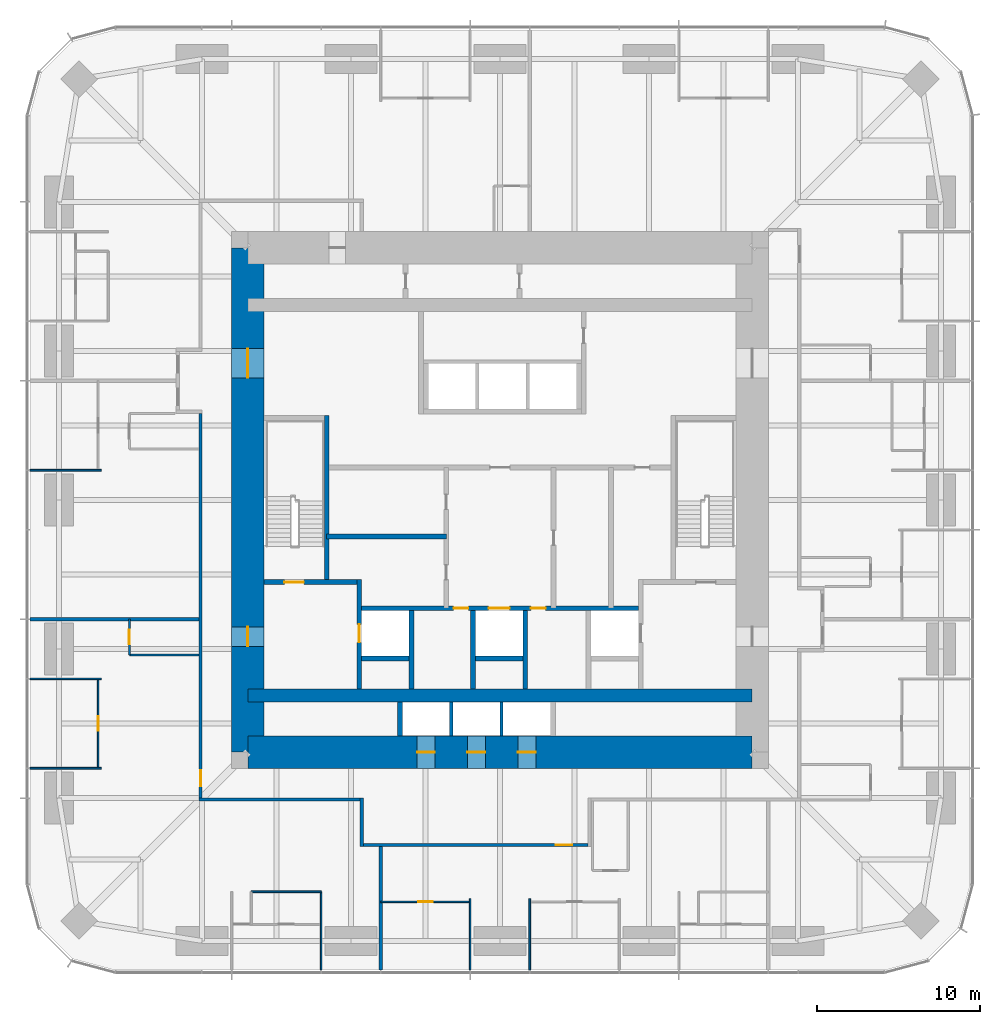
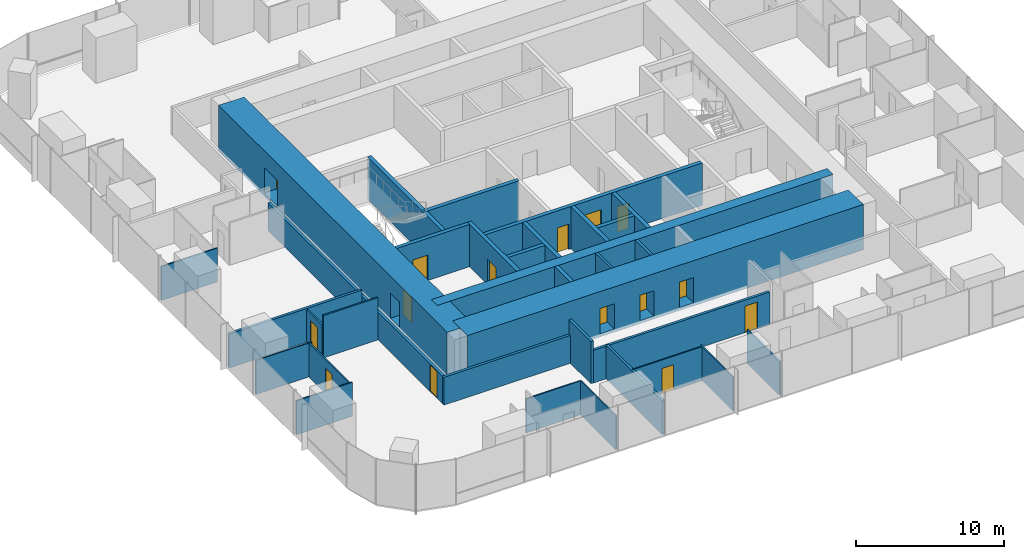
# One storey, part 9 of 13: 33 walls, 15 doors, 15 openings.
"""IFC4 building model written with IfcOpenShell, lengths in metres."""

from ifc_helpers import new_model, si_unit, direction, frame, frame_2d, origin, place, context, subcontext, project, spatial, rectangle, extrude, material, layer, layer_set, type_object, element, fill, save


model = new_model("IFC4")

# Units and contexts
model_context = context("Model", 3, precision=1e-05, world=origin(), true_north=direction((0.0, 1.0)))
body_context = subcontext(model_context, "Body", "Model", "MODEL_VIEW")
ifc_project = project(units=[si_unit("LENGTHUNIT", "METRE"), si_unit("AREAUNIT", "SQUARE_METRE"), si_unit("VOLUMEUNIT", "CUBIC_METRE"), si_unit("PLANEANGLEUNIT", "RADIAN"), si_unit("MASSUNIT", "GRAM", prefix="KILO")], contexts=[model_context])

# Site, building, storey
site_placement = place(None, origin())
site = spatial("IfcSite", under=ifc_project, at=site_placement, CompositionType="ELEMENT")
building_placement = place(site_placement, origin())
building = spatial("IfcBuilding", under=site, at=building_placement, Name="Khuree Lantern Residences", CompositionType="ELEMENT")
storey_placement = place(building_placement, frame((0.0, 0.0, 126.0)))
storey = spatial("IfcBuildingStorey", under=building, at=storey_placement, Name="L31", CompositionType="ELEMENT", Elevation=126.0)

# Wall, opening, door
ifc_material_1 = material(Name="Moisture-resistant gypsum board on steel studs", Category="steel")
ifc_layer_1 = layer(ifc_material_1, 0.125)
ifc_layer_set_1 = layer_set([ifc_layer_1], Name="BATHROOM WALL BTW125")
wall_type_1 = type_object("IfcWallType", Name="BATHROOM WALL BTW125", PredefinedType="PARTITIONING", material=ifc_layer_set_1)
wall_1_placement = place(storey_placement, frame((-22.77978515625, -7.327880859375, 0.0), z_axis=(0.0, 0.0, 1.0), x_axis=(0.0, -1.0, 0.0)))
wall_1 = element("IfcWall", 1, at=wall_1_placement, inside=storey, type_object=wall_type_1, Name="L31 BATHROOM WALL 05", PredefinedType="PARTITIONING", context=body_context, shape_type="SweptSolid", body=[
    extrude(rectangle(XDim=2.2001953125, YDim=0.125, at=frame_2d((1.10009765625, 0.0))), origin(), (0.0, 0.0, 1.0), 2.699951171875),
])
opening_1_placement = place(wall_1_placement, frame((0.64990234375, 0.0, 0.0)))
opening_1 = element("IfcOpeningElement", 2, at=opening_1_placement, cuts=wall_1, Name="Opening 31-044", PredefinedType="OPENING", context=body_context, shape_type="SweptSolid", body=[
    extrude(rectangle(XDim=0.89990234375, YDim=2.10009765625, at=frame_2d((0.449951171875, 1.050048828125))), frame((0.0, 0.072509765625, 0.0), z_axis=(0.0, -1.0, 0.0), x_axis=(1.0, 0.0, 0.0)), (0.0, 0.0, 1.0), 0.14501953125),
])
ifc_material_2 = material(Name="Timber door leaf in hardwood frame", Category="wood")
door_type_1 = type_object("IfcDoorType", Name="BATHROOM DOOR 900X2100", OperationType="SINGLE_SWING_LEFT", PredefinedType="DOOR", material=ifc_material_2)
door_1_placement = place(opening_1_placement, origin())
door_1 = element("IfcDoor", 3, at=door_1_placement, inside=storey, type_object=door_type_1, Name="Bathroom door 31-044", OperationType="SINGLE_SWING_LEFT", OverallHeight=2.10009765625, OverallWidth=0.89990234375, PredefinedType="DOOR", context=body_context, shape_type="SweptSolid", body=[
    extrude(rectangle(XDim=0.89990234375, YDim=2.10009765625, at=frame_2d((0.449951171875, 1.050048828125))), frame((0.0, 0.02490234375, 0.0), z_axis=(0.0, -1.0, 0.0), x_axis=(1.0, 0.0, 0.0)), (0.0, 0.0, 1.0), 0.050048828125),
])
fill(opening_1, door_1)

# Wall
wall_2_placement = place(storey_placement, frame((-18.5, -9.528076171875, 0.0), z_axis=(0.0, 0.0, 1.0), x_axis=(-1.0, 0.0, 0.0)))
element("IfcWall", 4, at=wall_2_placement, inside=storey, type_object=wall_type_1, Name="L31 BATHROOM WALL 05", PredefinedType="PARTITIONING", context=body_context, shape_type="SweptSolid", body=[
    extrude(rectangle(XDim=4.27978515625, YDim=0.125, at=frame_2d((2.139892578125, 0.0))), origin(), (0.0, 0.0, 1.0), 3.5),
])

# Wall, opening, door
ifc_material_3 = material(Name="Dense concrete blockwork", Category="masonry")
ifc_layer_2 = layer(ifc_material_3, 0.300048828125)
ifc_layer_set_2 = layer_set([ifc_layer_2], Name="CORE PARTITION WALL CPW300 EI 120")
wall_type_2 = type_object("IfcWallType", Name="CORE PARTITION WALL CPW300 EI 120", PredefinedType="PARTITIONING", material=ifc_layer_set_2)
wall_3_placement = place(storey_placement, frame((-8.64990234375, -11.60009765625, 0.0), z_axis=(0.0, 0.0, 1.0), x_axis=(0.0, 1.0, 0.0)))
wall_3 = element("IfcWall", 5, at=wall_3_placement, inside=storey, type_object=wall_type_2, Name="L31 CORE WALL FL1W", PredefinedType="PARTITIONING", context=body_context, shape_type="SweptSolid", body=[
    extrude(rectangle(XDim=6.7001953125, YDim=0.300048828125, at=frame_2d((3.35009765625, 0.0))), origin(), (0.0, 0.0, 1.0), 3.5),
])
opening_2_placement = place(wall_3_placement, frame((2.85009765625, 0.0, 0.0)))
opening_2 = element("IfcOpeningElement", 6, at=opening_2_placement, cuts=wall_3, Name="Opening 31-007", PredefinedType="OPENING", context=body_context, shape_type="SweptSolid", body=[
    extrude(rectangle(XDim=1.10009765625, YDim=2.10009765625, at=frame_2d((0.550048828125, 1.050048828125))), frame((0.0, 0.16015625, 0.0), z_axis=(0.0, -1.0, 0.0), x_axis=(1.0, 0.0, 0.0)), (0.0, 0.0, 1.0), 0.320068359375),
])
ifc_material_4 = material(Name="Stainless steel lift landing door", Category="steel")
door_type_2 = type_object("IfcDoorType", Name="LIFT LANDING DOOR 1100X2100 E 120", OperationType="DOUBLE_DOOR_SLIDING", PredefinedType="DOOR", material=ifc_material_4)
door_2_placement = place(opening_2_placement, origin())
door_2 = element("IfcDoor", 7, at=door_2_placement, inside=storey, type_object=door_type_2, Name="Landing door FL1 31-007", OperationType="DOUBLE_DOOR_SLIDING", OverallHeight=2.10009765625, OverallWidth=1.10009765625, PredefinedType="DOOR", context=body_context, shape_type="SweptSolid", body=[
    extrude(rectangle(XDim=1.10009765625, YDim=2.10009765625, at=frame_2d((0.550048828125, 1.050048828125))), frame((0.0, 0.02490234375, 0.0), z_axis=(0.0, -1.0, 0.0), x_axis=(1.0, 0.0, 0.0)), (0.0, 0.0, 1.0), 0.050048828125),
])
fill(opening_2, door_2)

# Wall, openings, doors
wall_4_placement = place(storey_placement, frame((-8.5, -6.64990234375, 0.0), z_axis=(0.0, 0.0, 1.0), x_axis=(1.0, 0.0, 0.0)))
wall_4 = element("IfcWall", 8, at=wall_4_placement, inside=storey, type_object=wall_type_2, Name="L31 CORE WALL FLROW", PredefinedType="PARTITIONING", context=body_context, shape_type="SweptSolid", body=[
    extrude(rectangle(XDim=17.0, YDim=0.300048828125, at=frame_2d((8.5, 0.0))), origin(), (0.0, 0.0, 1.0), 3.5),
])
opening_3_placement = place(wall_4_placement, frame((7.800048828125, 0.0, 0.0)))
opening_3 = element("IfcOpeningElement", 9, at=opening_3_placement, cuts=wall_4, Name="Opening 31-012", PredefinedType="OPENING", context=body_context, shape_type="SweptSolid", body=[
    extrude(rectangle(XDim=1.300048828125, YDim=2.39990234375, at=frame_2d((0.64990234375, 1.199951171875))), frame((0.0, 0.16015625, 0.0), z_axis=(0.0, -1.0, 0.0), x_axis=(1.0, 0.0, 0.0)), (0.0, 0.0, 1.0), 0.320068359375),
])
opening_4_placement = place(wall_4_placement, frame((5.64990234375, 0.0, 0.0)))
opening_4 = element("IfcOpeningElement", 10, at=opening_4_placement, cuts=wall_4, Name="Opening 31-014", PredefinedType="OPENING", context=body_context, shape_type="SweptSolid", body=[
    extrude(rectangle(XDim=0.89990234375, YDim=2.10009765625, at=frame_2d((0.449951171875, 1.050048828125))), frame((0.0, 0.16015625, 0.0), z_axis=(0.0, -1.0, 0.0), x_axis=(1.0, 0.0, 0.0)), (0.0, 0.0, 1.0), 0.320068359375),
])
opening_5_placement = place(wall_4_placement, frame((10.39990234375, 0.0, 0.0)))
opening_5 = element("IfcOpeningElement", 11, at=opening_5_placement, cuts=wall_4, Name="Opening 31-015", PredefinedType="OPENING", context=body_context, shape_type="SweptSolid", body=[
    extrude(rectangle(XDim=0.89990234375, YDim=2.10009765625, at=frame_2d((0.449951171875, 1.050048828125))), frame((0.0, 0.16015625, 0.0), z_axis=(0.0, -1.0, 0.0), x_axis=(1.0, 0.0, 0.0)), (0.0, 0.0, 1.0), 0.320068359375),
])
ifc_material_5 = material(Name="Steel door leaf in steel frame", Category="steel")
door_type_3 = type_object("IfcDoorType", Name="DOOR 900X2100 EI 60", OperationType="SINGLE_SWING_LEFT", PredefinedType="DOOR", material=ifc_material_5)
door_3_placement = place(opening_4_placement, origin())
door_3 = element("IfcDoor", 12, at=door_3_placement, inside=storey, type_object=door_type_3, Name="Refuse chute room door 31-014", OperationType="SINGLE_SWING_LEFT", OverallHeight=2.10009765625, OverallWidth=0.89990234375, PredefinedType="DOOR", context=body_context, shape_type="SweptSolid", body=[
    extrude(rectangle(XDim=0.89990234375, YDim=2.10009765625, at=frame_2d((0.449951171875, 1.050048828125))), frame((0.0, 0.02490234375, 0.0), z_axis=(0.0, -1.0, 0.0), x_axis=(1.0, 0.0, 0.0)), (0.0, 0.0, 1.0), 0.050048828125),
])
fill(opening_4, door_3)
door_type_4 = type_object("IfcDoorType", Name="DOOR 900X2100 EI 60 RIGHT HAND", OperationType="SINGLE_SWING_RIGHT", PredefinedType="DOOR", material=ifc_material_5)
door_4_placement = place(opening_5_placement, origin())
door_4 = element("IfcDoor", 13, at=door_4_placement, inside=storey, type_object=door_type_4, Name="Electrical and plumbing riser door 31-015", OperationType="SINGLE_SWING_RIGHT", OverallHeight=2.10009765625, OverallWidth=0.89990234375, PredefinedType="DOOR", context=body_context, shape_type="SweptSolid", body=[
    extrude(rectangle(XDim=0.89990234375, YDim=2.10009765625, at=frame_2d((0.449951171875, 1.050048828125))), frame((0.0, 0.02490234375, 0.0), z_axis=(0.0, -1.0, 0.0), x_axis=(1.0, 0.0, 0.0)), (0.0, 0.0, 1.0), 0.050048828125),
])
fill(opening_5, door_4)
door_type_5 = type_object("IfcDoorType", Name="LIFT LANDING DOOR 1300X2400 E 60", OperationType="DOUBLE_DOOR_SLIDING", PredefinedType="DOOR", material=ifc_material_4)
door_5_placement = place(opening_3_placement, origin())
door_5 = element("IfcDoor", 14, at=door_5_placement, inside=storey, type_object=door_type_5, Name="Landing door SL1 31-012", OperationType="DOUBLE_DOOR_SLIDING", OverallHeight=2.39990234375, OverallWidth=1.300048828125, PredefinedType="DOOR", context=body_context, shape_type="SweptSolid", body=[
    extrude(rectangle(XDim=1.300048828125, YDim=2.39990234375, at=frame_2d((0.64990234375, 1.199951171875))), frame((0.0, 0.02490234375, 0.0), z_axis=(0.0, -1.0, 0.0), x_axis=(1.0, 0.0, 0.0)), (0.0, 0.0, 1.0), 0.050048828125),
])
fill(opening_3, door_5)

# Walls
for number, where, z_axis, x_axis, name in (
    (15, (-5.449951171875, -11.60009765625, 0.0), (0.0, 0.0, 1.0), (0.0, 1.0, 0.0), "L31 CORE WALL FL1E"),
    (16, (-1.64990234375, -11.60009765625, 0.0), (0.0, 0.0, 1.0), (0.0, 1.0, 0.0), "L31 CORE WALL SL1W"),
    (17, (1.550048828125, -11.60009765625, 0.0), (0.0, 0.0, 1.0), (0.0, 1.0, 0.0), "L31 CORE WALL SL1E"),
):
    element("IfcWall", number, at=place(storey_placement, frame(where, z_axis=z_axis, x_axis=x_axis)), inside=storey, type_object=wall_type_2, Name=name, PredefinedType="PARTITIONING", context=body_context, shape_type="SweptSolid", body=[
        extrude(rectangle(XDim=4.800048828125, YDim=0.300048828125, at=frame_2d((2.39990234375, 0.0))), origin(), (0.0, 0.0, 1.0), 3.5),
    ])
for number, where, z_axis, x_axis, name in (
    (18, (-8.5, -9.75, 0.0), (0.0, 0.0, 1.0), (1.0, 0.0, 0.0), "L31 CORE WALL FL1S"),
    (19, (-1.5, -9.75, 0.0), (0.0, 0.0, 1.0), (1.0, 0.0, 0.0), "L31 CORE WALL SL1S"),
):
    element("IfcWall", number, at=place(storey_placement, frame(where, z_axis=z_axis, x_axis=x_axis)), inside=storey, type_object=wall_type_2, Name=name, PredefinedType="PARTITIONING", context=body_context, shape_type="SweptSolid", body=[
        extrude(rectangle(XDim=2.89990234375, YDim=0.300048828125, at=frame_2d((1.449951171875, 0.0))), origin(), (0.0, 0.0, 1.0), 3.5),
    ])
wall_5_placement = place(storey_placement, frame((-6.14990234375, -14.5, 0.0), z_axis=(0.0, 0.0, 1.0), x_axis=(0.0, 1.0, 0.0)))
element("IfcWall", 20, at=wall_5_placement, inside=storey, type_object=wall_type_2, Name="L31 CORE WALL PMW", PredefinedType="PARTITIONING", context=body_context, shape_type="SweptSolid", body=[
    extrude(rectangle(XDim=2.10009765625, YDim=0.300048828125, at=frame_2d((1.050048828125, 0.0))), origin(), (0.0, 0.0, 1.0), 3.5),
])
wall_6_placement = place(storey_placement, frame((-10.64990234375, -2.25, 0.0), z_axis=(0.0, 0.0, 1.0), x_axis=(1.0, 0.0, 0.0)))
element("IfcWall", 21, at=wall_6_placement, inside=storey, type_object=wall_type_2, Name="L31 CORE WALL WX", PredefinedType="PARTITIONING", context=body_context, shape_type="SweptSolid", body=[
    extrude(rectangle(XDim=7.349853515625, YDim=0.300048828125, at=frame_2d((3.6748046875, 0.0))), origin(), (0.0, 0.0, 1.0), 3.5),
])

# Wall, opening, door
ifc_material_6 = material(Name="Gypsum board on steel studs", Category="steel")
ifc_layer_3 = layer(ifc_material_6, 0.199951171875)
ifc_layer_set_3 = layer_set([ifc_layer_3], Name="CORRIDOR WALL CRW200 EI 60")
wall_type_3 = type_object("IfcWallType", Name="CORRIDOR WALL CRW200 EI 60", PredefinedType="PARTITIONING", material=ifc_layer_set_3)
wall_7_placement = place(storey_placement, frame((-18.39990234375, 5.327880859375, 0.0), z_axis=(0.0, 0.0, 1.0), x_axis=(0.0, -1.0, 0.0)))
wall_7 = element("IfcWall", 22, at=wall_7_placement, inside=storey, type_object=wall_type_3, Name="L31 CORRIDOR WALL WEST 2", PredefinedType="PARTITIONING", context=body_context, shape_type="SweptSolid", body=[
    extrude(rectangle(XDim=23.6279296875, YDim=0.199951171875, at=frame_2d((11.81396484375, 0.0))), origin(), (0.0, 0.0, 1.0), 2.300048828125),
])
opening_6_placement = place(wall_7_placement, frame((21.926025390625, 0.0, 0.0)))
opening_6 = element("IfcOpeningElement", 23, at=opening_6_placement, cuts=wall_7, Name="Opening 31-045", PredefinedType="OPENING", context=body_context, shape_type="SweptSolid", body=[
    extrude(rectangle(XDim=1.0, YDim=2.199951171875, at=frame_2d((0.5, 1.10009765625))), frame((0.0, 0.10986328125, 0.0), z_axis=(0.0, -1.0, 0.0), x_axis=(1.0, 0.0, 0.0)), (0.0, 0.0, 1.0), 0.219970703125),
])
door_type_6 = type_object("IfcDoorType", Name="APARTMENT ENTRANCE DOOR 1000X2200 EI 30S RIGHT HAND", OperationType="SINGLE_SWING_RIGHT", PredefinedType="DOOR", material=ifc_material_2)
door_6_placement = place(opening_6_placement, origin())
door_6 = element("IfcDoor", 24, at=door_6_placement, inside=storey, type_object=door_type_6, Name="Apartment 05 entrance door 31-045", OperationType="SINGLE_SWING_RIGHT", OverallHeight=2.199951171875, OverallWidth=1.0, PredefinedType="DOOR", context=body_context, shape_type="SweptSolid", body=[
    extrude(rectangle(XDim=1.0, YDim=2.199951171875, at=frame_2d((0.5, 1.10009765625))), frame((0.0, 0.02490234375, 0.0), z_axis=(0.0, -1.0, 0.0), x_axis=(1.0, 0.0, 0.0)), (0.0, 0.0, 1.0), 0.050048828125),
])
fill(opening_6, door_6)

# Wall
wall_8_placement = place(storey_placement, frame((-8.5, -18.300048828125, 0.0), z_axis=(0.0, 0.0, 1.0), x_axis=(0.0, -1.0, 0.0)))
element("IfcWall", 25, at=wall_8_placement, inside=storey, type_object=wall_type_3, Name="L31 LIFT LOBBY WALL", PredefinedType="PARTITIONING", context=body_context, shape_type="SweptSolid", body=[
    extrude(rectangle(XDim=3.0, YDim=0.199951171875, at=frame_2d((1.5, 0.0))), origin(), (0.0, 0.0, 1.0), 3.5),
])

# Wall, opening, door
wall_9_placement = place(storey_placement, frame((5.39990234375, -21.199951171875, 0.0), z_axis=(0.0, 0.0, 1.0), x_axis=(-1.0, 0.0, 0.0)))
wall_9 = element("IfcWall", 26, at=wall_9_placement, inside=storey, type_object=wall_type_3, Name="L31 LIFT LOBBY WALL", PredefinedType="PARTITIONING", context=body_context, shape_type="SweptSolid", body=[
    extrude(rectangle(XDim=13.7998046875, YDim=0.199951171875, at=frame_2d((6.89990234375, 0.0))), origin(), (0.0, 0.0, 1.0), 2.699951171875),
])
opening_7_placement = place(wall_9_placement, frame((0.9580078125, 0.0, 0.0)))
opening_7 = element("IfcOpeningElement", 27, at=opening_7_placement, cuts=wall_9, Name="Opening 31-051", PredefinedType="OPENING", context=body_context, shape_type="SweptSolid", body=[
    extrude(rectangle(XDim=1.0, YDim=2.199951171875, at=frame_2d((0.5, 1.10009765625))), frame((0.0, 0.10986328125, 0.0), z_axis=(0.0, -1.0, 0.0), x_axis=(1.0, 0.0, 0.0)), (0.0, 0.0, 1.0), 0.219970703125),
])
door_type_7 = type_object("IfcDoorType", Name="APARTMENT ENTRANCE DOOR 1000X2200 EI 30S", OperationType="SINGLE_SWING_LEFT", PredefinedType="DOOR", material=ifc_material_2)
door_7_placement = place(opening_7_placement, origin())
door_7 = element("IfcDoor", 28, at=door_7_placement, inside=storey, type_object=door_type_7, Name="Apartment 06 entrance door 31-051", OperationType="SINGLE_SWING_LEFT", OverallHeight=2.199951171875, OverallWidth=1.0, PredefinedType="DOOR", context=body_context, shape_type="SweptSolid", body=[
    extrude(rectangle(XDim=1.0, YDim=2.199951171875, at=frame_2d((0.5, 1.10009765625))), frame((0.0, 0.02490234375, 0.0), z_axis=(0.0, -1.0, 0.0), x_axis=(1.0, 0.0, 0.0)), (0.0, 0.0, 1.0), 0.050048828125),
])
fill(opening_7, door_7)

# Wall
wall_10_placement = place(storey_placement, frame((-8.60009765625, -18.39990234375, 0.0), z_axis=(0.0, 0.0, 1.0), x_axis=(-1.0, 0.0, 0.0)))
element("IfcWall", 29, at=wall_10_placement, inside=storey, type_object=wall_type_3, Name="L31 CORRIDOR WALL SOUTH 2", PredefinedType="PARTITIONING", context=body_context, shape_type="SweptSolid", body=[
    extrude(rectangle(XDim=9.89990234375, YDim=0.199951171875, at=frame_2d((4.949951171875, 0.0))), origin(), (0.0, 0.0, 1.0), 2.300048828125),
])

# Wall, openings, doors
ifc_material_7 = material(Name="Concrete C70/85", Category="concrete")
ifc_layer_4 = layer(ifc_material_7, 2.0)
ifc_layer_set_4 = layer_set([ifc_layer_4], Name="CW2000-C70 CORE WALL C70 2000")
wall_type_4 = type_object("IfcWallType", Name="CW2000-C70 CORE WALL C70 2000", PredefinedType="SHEAR", material=ifc_layer_set_4)
wall_11_placement = place(storey_placement, frame((-15.5, -15.5, -0.25), z_axis=(0.0, 0.0, 1.0), x_axis=(1.0, 0.0, 0.0)))
wall_11 = element("IfcWall", 30, at=wall_11_placement, inside=storey, type_object=wall_type_4, Name="Core wall S", PredefinedType="SHEAR", context=body_context, shape_type="SweptSolid", body=[
    extrude(rectangle(XDim=31.0, YDim=2.0, at=frame_2d((15.5, 0.0))), origin(), (0.0, 0.0, 1.0), 3.75),
])
opening_8_placement = place(wall_11_placement, frame((10.39990234375, 0.0, 0.25)))
opening_8 = element("IfcOpeningElement", 31, at=opening_8_placement, cuts=wall_11, Name="Opening 31-009", PredefinedType="OPENING", context=body_context, shape_type="SweptSolid", body=[
    extrude(rectangle(XDim=1.10009765625, YDim=2.10009765625, at=frame_2d((0.550048828125, 1.050048828125))), frame((0.0, 1.010009765625, 0.0), z_axis=(0.0, -1.0, 0.0), x_axis=(1.0, 0.0, 0.0)), (0.0, 0.0, 1.0), 2.02001953125),
])
opening_9_placement = place(wall_11_placement, frame((13.5, 0.0, 0.25)))
opening_9 = element("IfcOpeningElement", 32, at=opening_9_placement, cuts=wall_11, Name="Opening 31-010", PredefinedType="OPENING", context=body_context, shape_type="SweptSolid", body=[
    extrude(rectangle(XDim=1.10009765625, YDim=2.10009765625, at=frame_2d((0.550048828125, 1.050048828125))), frame((0.0, 1.010009765625, 0.0), z_axis=(0.0, -1.0, 0.0), x_axis=(1.0, 0.0, 0.0)), (0.0, 0.0, 1.0), 2.02001953125),
])
opening_10_placement = place(wall_11_placement, frame((16.60009765625, 0.0, 0.25)))
opening_10 = element("IfcOpeningElement", 33, at=opening_10_placement, cuts=wall_11, Name="Opening 31-011", PredefinedType="OPENING", context=body_context, shape_type="SweptSolid", body=[
    extrude(rectangle(XDim=1.10009765625, YDim=2.10009765625, at=frame_2d((0.550048828125, 1.050048828125))), frame((0.0, 1.010009765625, 0.0), z_axis=(0.0, -1.0, 0.0), x_axis=(1.0, 0.0, 0.0)), (0.0, 0.0, 1.0), 2.02001953125),
])
door_type_8 = type_object("IfcDoorType", Name="LIFT LANDING DOOR 1100X2100 E 60", OperationType="DOUBLE_DOOR_SLIDING", PredefinedType="DOOR", material=ifc_material_4)
door_8_placement = place(opening_8_placement, origin())
door_8 = element("IfcDoor", 34, at=door_8_placement, inside=storey, type_object=door_type_8, Name="Landing door PM1 31-009", OperationType="DOUBLE_DOOR_SLIDING", OverallHeight=2.10009765625, OverallWidth=1.10009765625, PredefinedType="DOOR", context=body_context, shape_type="SweptSolid", body=[
    extrude(rectangle(XDim=1.10009765625, YDim=2.10009765625, at=frame_2d((0.550048828125, 1.050048828125))), frame((0.0, 0.02490234375, 0.0), z_axis=(0.0, -1.0, 0.0), x_axis=(1.0, 0.0, 0.0)), (0.0, 0.0, 1.0), 0.050048828125),
])
fill(opening_8, door_8)
door_9_placement = place(opening_9_placement, origin())
door_9 = element("IfcDoor", 35, at=door_9_placement, inside=storey, type_object=door_type_8, Name="Landing door PM2 31-010", OperationType="DOUBLE_DOOR_SLIDING", OverallHeight=2.10009765625, OverallWidth=1.10009765625, PredefinedType="DOOR", context=body_context, shape_type="SweptSolid", body=[
    extrude(rectangle(XDim=1.10009765625, YDim=2.10009765625, at=frame_2d((0.550048828125, 1.050048828125))), frame((0.0, 0.02490234375, 0.0), z_axis=(0.0, -1.0, 0.0), x_axis=(1.0, 0.0, 0.0)), (0.0, 0.0, 1.0), 0.050048828125),
])
fill(opening_9, door_9)
door_10_placement = place(opening_10_placement, origin())
door_10 = element("IfcDoor", 36, at=door_10_placement, inside=storey, type_object=door_type_8, Name="Landing door PM3 31-011", OperationType="DOUBLE_DOOR_SLIDING", OverallHeight=2.10009765625, OverallWidth=1.10009765625, PredefinedType="DOOR", context=body_context, shape_type="SweptSolid", body=[
    extrude(rectangle(XDim=1.10009765625, YDim=2.10009765625, at=frame_2d((0.550048828125, 1.050048828125))), frame((0.0, 0.02490234375, 0.0), z_axis=(0.0, -1.0, 0.0), x_axis=(1.0, 0.0, 0.0)), (0.0, 0.0, 1.0), 0.050048828125),
])
fill(opening_10, door_10)

wall_12_placement = place(storey_placement, frame((-15.5, -15.5, -0.25), z_axis=(0.0, 0.0, 1.0), x_axis=(0.0, 1.0, 0.0)))
wall_12 = element("IfcWall", 37, at=wall_12_placement, inside=storey, type_object=wall_type_4, Name="Core wall W", PredefinedType="SHEAR", context=body_context, shape_type="SweptSolid", body=[
    extrude(rectangle(XDim=31.0, YDim=2.0, at=frame_2d((15.5, 0.0))), origin(), (0.0, 0.0, 1.0), 3.75),
])
opening_11_placement = place(wall_12_placement, frame((6.5, 0.0, 0.25)))
opening_11 = element("IfcOpeningElement", 38, at=opening_11_placement, cuts=wall_12, Name="Opening 31-002", PredefinedType="OPENING", context=body_context, shape_type="SweptSolid", body=[
    extrude(rectangle(XDim=1.199951171875, YDim=2.10009765625, at=frame_2d((0.60009765625, 1.050048828125))), frame((0.0, 1.010009765625, 0.0), z_axis=(0.0, -1.0, 0.0), x_axis=(1.0, 0.0, 0.0)), (0.0, 0.0, 1.0), 2.02001953125),
])
opening_12_placement = place(wall_12_placement, frame((23.0, 0.0, 0.25)))
opening_12 = element("IfcOpeningElement", 39, at=opening_12_placement, cuts=wall_12, Name="Opening 31-003", PredefinedType="OPENING", context=body_context, shape_type="SweptSolid", body=[
    extrude(rectangle(XDim=1.800048828125, YDim=2.10009765625, at=frame_2d((0.89990234375, 1.050048828125))), frame((0.0, 1.010009765625, 0.0), z_axis=(0.0, -1.0, 0.0), x_axis=(1.0, 0.0, 0.0)), (0.0, 0.0, 1.0), 2.02001953125),
])
door_type_9 = type_object("IfcDoorType", Name="LOBBY DOOR 1200X2100 EI 120", OperationType="SINGLE_SWING_LEFT", PredefinedType="DOOR", material=ifc_material_5)
door_11_placement = place(opening_11_placement, origin())
door_11 = element("IfcDoor", 40, at=door_11_placement, inside=storey, type_object=door_type_9, Name="Firefighting lobby door 31-002", OperationType="SINGLE_SWING_LEFT", OverallHeight=2.10009765625, OverallWidth=1.199951171875, PredefinedType="DOOR", context=body_context, shape_type="SweptSolid", body=[
    extrude(rectangle(XDim=1.199951171875, YDim=2.10009765625, at=frame_2d((0.60009765625, 1.050048828125))), frame((0.0, 0.02490234375, 0.0), z_axis=(0.0, -1.0, 0.0), x_axis=(1.0, 0.0, 0.0)), (0.0, 0.0, 1.0), 0.050048828125),
])
fill(opening_11, door_11)
door_type_10 = type_object("IfcDoorType", Name="LOBBY DOUBLE DOOR 1800X2100 EI 60", OperationType="DOUBLE_DOOR_SINGLE_SWING", PredefinedType="DOOR", material=ifc_material_5)
door_12_placement = place(opening_12_placement, origin())
door_12 = element("IfcDoor", 41, at=door_12_placement, inside=storey, type_object=door_type_10, Name="Lift lobby door 31-003", OperationType="DOUBLE_DOOR_SINGLE_SWING", OverallHeight=2.10009765625, OverallWidth=1.800048828125, PredefinedType="DOOR", context=body_context, shape_type="SweptSolid", body=[
    extrude(rectangle(XDim=1.800048828125, YDim=2.10009765625, at=frame_2d((0.89990234375, 1.050048828125))), frame((0.0, 0.02490234375, 0.0), z_axis=(0.0, -1.0, 0.0), x_axis=(1.0, 0.0, 0.0)), (0.0, 0.0, 1.0), 0.050048828125),
])
fill(opening_12, door_12)

# Walls
ifc_layer_5 = layer(ifc_material_6, 0.199951171875)
ifc_layer_set_5 = layer_set([ifc_layer_5], Name="DEMISING WALL DMW200 EI 90")
wall_type_5 = type_object("IfcWallType", Name="DEMISING WALL DMW200 EI 90", PredefinedType="PARTITIONING", material=ifc_layer_set_5)
wall_13_placement = place(storey_placement, frame((-18.5, -7.327880859375, 0.0), z_axis=(0.0, 0.0, 1.0), x_axis=(-1.0, 0.0, 0.0)))
element("IfcWall", 42, at=wall_13_placement, inside=storey, type_object=wall_type_5, Name="L31 DEMISING WALL 05", PredefinedType="PARTITIONING", context=body_context, shape_type="SweptSolid", body=[
    extrude(rectangle(XDim=10.39990234375, YDim=0.199951171875, at=frame_2d((5.199951171875, 0.0))), origin(), (0.0, 0.0, 1.0), 2.81005859375),
])
wall_14_placement = place(storey_placement, frame((-7.327880859375, -21.300048828125, 0.0), z_axis=(0.0, 0.0, 1.0), x_axis=(0.0, -1.0, 0.0)))
element("IfcWall", 43, at=wall_14_placement, inside=storey, type_object=wall_type_5, Name="L31 DEMISING WALL 06", PredefinedType="PARTITIONING", context=body_context, shape_type="SweptSolid", body=[
    extrude(rectangle(XDim=7.599853515625, YDim=0.199951171875, at=frame_2d((3.7998046875, 0.0))), origin(), (0.0, 0.0, 1.0), 2.81005859375),
])
ifc_layer_6 = layer(ifc_material_6, 0.10009765625)
ifc_layer_set_6 = layer_set([ifc_layer_6], Name="PARTITION PT100")
wall_type_6 = type_object("IfcWallType", Name="PARTITION PT100", PredefinedType="PARTITIONING", material=ifc_layer_set_6)
for number, where, z_axis, x_axis, name in (
    (44, (-24.5, 1.83203125, 0.0), (0.0, 0.0, 1.0), (-1.0, 0.0, 0.0), "L31 PARTITION 04"),
    (45, (-24.5, -10.991943359375, 0.0), (0.0, 0.0, 1.0), (-1.0, 0.0, 0.0), "L31 PARTITION 05"),
    (46, (-24.5, -16.488037109375, 0.0), (0.0, 0.0, 1.0), (-1.0, 0.0, 0.0), "L31 PARTITION 05"),
):
    element("IfcWall", number, at=place(storey_placement, frame(where, z_axis=z_axis, x_axis=x_axis)), inside=storey, type_object=wall_type_6, Name=name, PredefinedType="PARTITIONING", context=body_context, shape_type="SweptSolid", body=[
        extrude(rectangle(XDim=4.39990234375, YDim=0.10009765625, at=frame_2d((2.199951171875, 0.0))), origin(), (0.0, 0.0, 1.0), 2.81005859375),
    ])
wall_15_placement = place(storey_placement, frame((-10.991943359375, -24.079833984375, 0.0), z_axis=(0.0, 0.0, 1.0), x_axis=(0.0, -1.0, 0.0)))
element("IfcWall", 47, at=wall_15_placement, inside=storey, type_object=wall_type_6, Name="L31 PARTITION 05", PredefinedType="PARTITIONING", context=body_context, shape_type="SweptSolid", body=[
    extrude(rectangle(XDim=4.820068359375, YDim=0.10009765625, at=frame_2d((2.41015625, 0.0))), origin(), (0.0, 0.0, 1.0), 2.81005859375),
])
for number, where, z_axis, x_axis, name in (
    (48, (-1.83203125, -24.5, 0.0), (0.0, 0.0, 1.0), (0.0, -1.0, 0.0), "L31 PARTITION 06"),
    (49, (1.83203125, -24.5, 0.0), (0.0, 0.0, 1.0), (0.0, -1.0, 0.0), "L31 PARTITION 06"),
):
    element("IfcWall", number, at=place(storey_placement, frame(where, z_axis=z_axis, x_axis=x_axis)), inside=storey, type_object=wall_type_6, Name=name, PredefinedType="PARTITIONING", context=body_context, shape_type="SweptSolid", body=[
        extrude(rectangle(XDim=4.39990234375, YDim=0.10009765625, at=frame_2d((2.199951171875, 0.0))), origin(), (0.0, 0.0, 1.0), 2.81005859375),
    ])

# Wall, opening, door
wall_16_placement = place(storey_placement, frame((-24.699951171875, -10.991943359375, 0.0), z_axis=(0.0, 0.0, 1.0), x_axis=(0.0, -1.0, 0.0)))
wall_16 = element("IfcWall", 50, at=wall_16_placement, inside=storey, type_object=wall_type_6, Name="L31 PARTITION 05", PredefinedType="PARTITIONING", context=body_context, shape_type="SweptSolid", body=[
    extrude(rectangle(XDim=5.49609375, YDim=0.10009765625, at=frame_2d((2.748046875, 0.0))), origin(), (0.0, 0.0, 1.0), 2.81005859375),
])
opening_13_placement = place(wall_16_placement, frame((2.298095703125, 0.0, 0.0)))
opening_13 = element("IfcOpeningElement", 51, at=opening_13_placement, cuts=wall_16, Name="Opening 31-041", PredefinedType="OPENING", context=body_context, shape_type="SweptSolid", body=[
    extrude(rectangle(XDim=0.89990234375, YDim=2.10009765625, at=frame_2d((0.449951171875, 1.050048828125))), frame((0.0, 0.06005859375, 0.0), z_axis=(0.0, -1.0, 0.0), x_axis=(1.0, 0.0, 0.0)), (0.0, 0.0, 1.0), 0.1201171875),
])
door_type_11 = type_object("IfcDoorType", Name="BEDROOM DOOR 900X2100", OperationType="SINGLE_SWING_LEFT", PredefinedType="DOOR", material=ifc_material_2)
door_13_placement = place(opening_13_placement, origin())
door_13 = element("IfcDoor", 52, at=door_13_placement, inside=storey, type_object=door_type_11, Name="Bedroom door 31-041", OperationType="SINGLE_SWING_LEFT", OverallHeight=2.10009765625, OverallWidth=0.89990234375, PredefinedType="DOOR", context=body_context, shape_type="SweptSolid", body=[
    extrude(rectangle(XDim=0.89990234375, YDim=2.10009765625, at=frame_2d((0.449951171875, 1.050048828125))), frame((0.0, 0.02490234375, 0.0), z_axis=(0.0, -1.0, 0.0), x_axis=(1.0, 0.0, 0.0)), (0.0, 0.0, 1.0), 0.050048828125),
])
fill(opening_13, door_13)

# Wall
wall_17_placement = place(storey_placement, frame((-15.2880859375, -24.079833984375, 0.0), z_axis=(0.0, 0.0, 1.0), x_axis=(1.0, 0.0, 0.0)))
element("IfcWall", 53, at=wall_17_placement, inside=storey, type_object=wall_type_6, Name="L31 PARTITION 05", PredefinedType="PARTITIONING", context=body_context, shape_type="SweptSolid", body=[
    extrude(rectangle(XDim=4.296142578125, YDim=0.10009765625, at=frame_2d((2.14794921875, 0.0))), origin(), (0.0, 0.0, 1.0), 2.81005859375),
])

# Wall, opening, door
wall_18_placement = place(storey_placement, frame((-7.327880859375, -24.699951171875, 0.0), z_axis=(0.0, 0.0, 1.0), x_axis=(1.0, 0.0, 0.0)))
wall_18 = element("IfcWall", 54, at=wall_18_placement, inside=storey, type_object=wall_type_6, Name="L31 PARTITION 06", PredefinedType="PARTITIONING", context=body_context, shape_type="SweptSolid", body=[
    extrude(rectangle(XDim=5.495849609375, YDim=0.10009765625, at=frame_2d((2.748046875, 0.0))), origin(), (0.0, 0.0, 1.0), 2.81005859375),
])
opening_14_placement = place(wall_18_placement, frame((2.298095703125, 0.0, 0.0)))
opening_14 = element("IfcOpeningElement", 55, at=opening_14_placement, cuts=wall_18, Name="Opening 31-046", PredefinedType="OPENING", context=body_context, shape_type="SweptSolid", body=[
    extrude(rectangle(XDim=0.89990234375, YDim=2.10009765625, at=frame_2d((0.449951171875, 1.050048828125))), frame((0.0, 0.06005859375, 0.0), z_axis=(0.0, -1.0, 0.0), x_axis=(1.0, 0.0, 0.0)), (0.0, 0.0, 1.0), 0.1201171875),
])
door_14_placement = place(opening_14_placement, origin())
door_14 = element("IfcDoor", 56, at=door_14_placement, inside=storey, type_object=door_type_11, Name="Bedroom door 31-046", OperationType="SINGLE_SWING_LEFT", OverallHeight=2.10009765625, OverallWidth=0.89990234375, PredefinedType="DOOR", context=body_context, shape_type="SweptSolid", body=[
    extrude(rectangle(XDim=0.89990234375, YDim=2.10009765625, at=frame_2d((0.449951171875, 1.050048828125))), frame((0.0, 0.02490234375, 0.0), z_axis=(0.0, -1.0, 0.0), x_axis=(1.0, 0.0, 0.0)), (0.0, 0.0, 1.0), 0.050048828125),
])
fill(opening_14, door_14)

# Walls
ifc_layer_7 = layer(ifc_material_3, 0.199951171875)
ifc_layer_set_7 = layer_set([ifc_layer_7], Name="SHAFT WALL SHW200 EI 120")
wall_type_7 = type_object("IfcWallType", Name="SHAFT WALL SHW200 EI 120", PredefinedType="PARTITIONING", material=ifc_layer_set_7)
for number, where, z_axis, x_axis, name in (
    (57, (-3.0, -14.5, 0.0), (0.0, 0.0, 1.0), (0.0, 1.0, 0.0), "L31 CORE WALL PMD1"),
    (58, (0.10009765625, -14.5, 0.0), (0.0, 0.0, 1.0), (0.0, 1.0, 0.0), "L31 CORE WALL PMD2"),
):
    element("IfcWall", number, at=place(storey_placement, frame(where, z_axis=z_axis, x_axis=x_axis)), inside=storey, type_object=wall_type_7, Name=name, PredefinedType="PARTITIONING", context=body_context, shape_type="SweptSolid", body=[
        extrude(rectangle(XDim=2.10009765625, YDim=0.199951171875, at=frame_2d((1.050048828125, 0.0))), origin(), (0.0, 0.0, 1.0), 3.5),
    ])
ifc_layer_8 = layer(ifc_material_7, 0.800048828125)
ifc_layer_set_8 = layer_set([ifc_layer_8], Name="SP800-C70 CORE SPINE WALL C70 800")
wall_type_8 = type_object("IfcWallType", Name="SP800-C70 CORE SPINE WALL C70 800", PredefinedType="SHEAR", material=ifc_layer_set_8)
wall_19_placement = place(storey_placement, frame((-15.5, -12.0, -0.25), z_axis=(0.0, 0.0, 1.0), x_axis=(1.0, 0.0, 0.0)))
element("IfcWall", 59, at=wall_19_placement, inside=storey, type_object=wall_type_8, Name="Core wall SPS", PredefinedType="SHEAR", context=body_context, shape_type="SweptSolid", body=[
    extrude(rectangle(XDim=31.0, YDim=0.800048828125, at=frame_2d((15.5, 0.0))), origin(), (0.0, 0.0, 1.0), 3.75),
])
ifc_material_8 = material(Name="Concrete C50/60", Category="concrete")
ifc_layer_9 = layer(ifc_material_8, 0.300048828125)
ifc_layer_set_9 = layer_set([ifc_layer_9], Name="STAIR WALL SRW300 C50/60 REI 240")
wall_type_9 = type_object("IfcWallType", Name="STAIR WALL SRW300 C50/60 REI 240", PredefinedType="SOLIDWALL", material=ifc_layer_set_9)
wall_20_placement = place(storey_placement, frame((-10.64990234375, -4.89990234375, 0.0), z_axis=(0.0, 0.0, 1.0), x_axis=(0.0, 1.0, 0.0)))
element("IfcWall", 60, at=wall_20_placement, inside=storey, type_object=wall_type_9, Name="L31 STAIR WALL ST1E", PredefinedType="SOLIDWALL", context=body_context, shape_type="SweptSolid", body=[
    extrude(rectangle(XDim=10.099853515625, YDim=0.300048828125, at=frame_2d((5.0498046875, 0.0))), origin(), (0.0, 0.0, 1.0), 3.5),
])

# Wall, opening, door
wall_21_placement = place(storey_placement, frame((-14.5, -5.050048828125, 0.0), z_axis=(0.0, 0.0, 1.0), x_axis=(1.0, 0.0, 0.0)))
wall_21 = element("IfcWall", 61, at=wall_21_placement, inside=storey, type_object=wall_type_9, Name="L31 STAIR WALL ST1S", PredefinedType="SOLIDWALL", context=body_context, shape_type="SweptSolid", body=[
    extrude(rectangle(XDim=5.699951171875, YDim=0.300048828125, at=frame_2d((2.85009765625, 0.0))), origin(), (0.0, 0.0, 1.0), 3.5),
])
opening_15_placement = place(wall_21_placement, frame((1.25, 0.0, 0.0)))
opening_15 = element("IfcOpeningElement", 62, at=opening_15_placement, cuts=wall_21, Name="Opening 31-001", PredefinedType="OPENING", context=body_context, shape_type="SweptSolid", body=[
    extrude(rectangle(XDim=1.199951171875, YDim=2.10009765625, at=frame_2d((0.60009765625, 1.050048828125))), frame((0.0, 0.16015625, 0.0), z_axis=(0.0, -1.0, 0.0), x_axis=(1.0, 0.0, 0.0)), (0.0, 0.0, 1.0), 0.320068359375),
])
door_type_12 = type_object("IfcDoorType", Name="STAIR DOOR 1200X2100 EI 120", OperationType="SINGLE_SWING_LEFT", PredefinedType="DOOR", material=ifc_material_5)
door_15_placement = place(opening_15_placement, origin())
door_15 = element("IfcDoor", 63, at=door_15_placement, inside=storey, type_object=door_type_12, Name="Stair ST1 door 31-001", OperationType="SINGLE_SWING_LEFT", OverallHeight=2.10009765625, OverallWidth=1.199951171875, PredefinedType="DOOR", context=body_context, shape_type="SweptSolid", body=[
    extrude(rectangle(XDim=1.199951171875, YDim=2.10009765625, at=frame_2d((0.60009765625, 1.050048828125))), frame((0.0, 0.02490234375, 0.0), z_axis=(0.0, -1.0, 0.0), x_axis=(1.0, 0.0, 0.0)), (0.0, 0.0, 1.0), 0.050048828125),
])
fill(opening_15, door_15)

save(model, "model.ifc")
